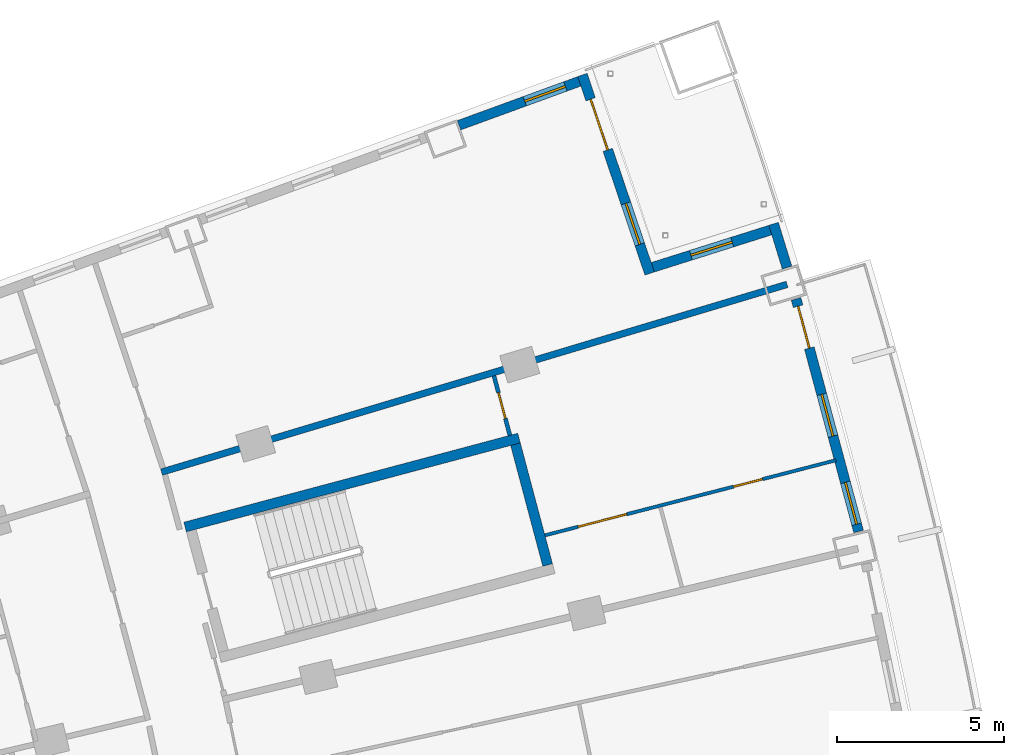
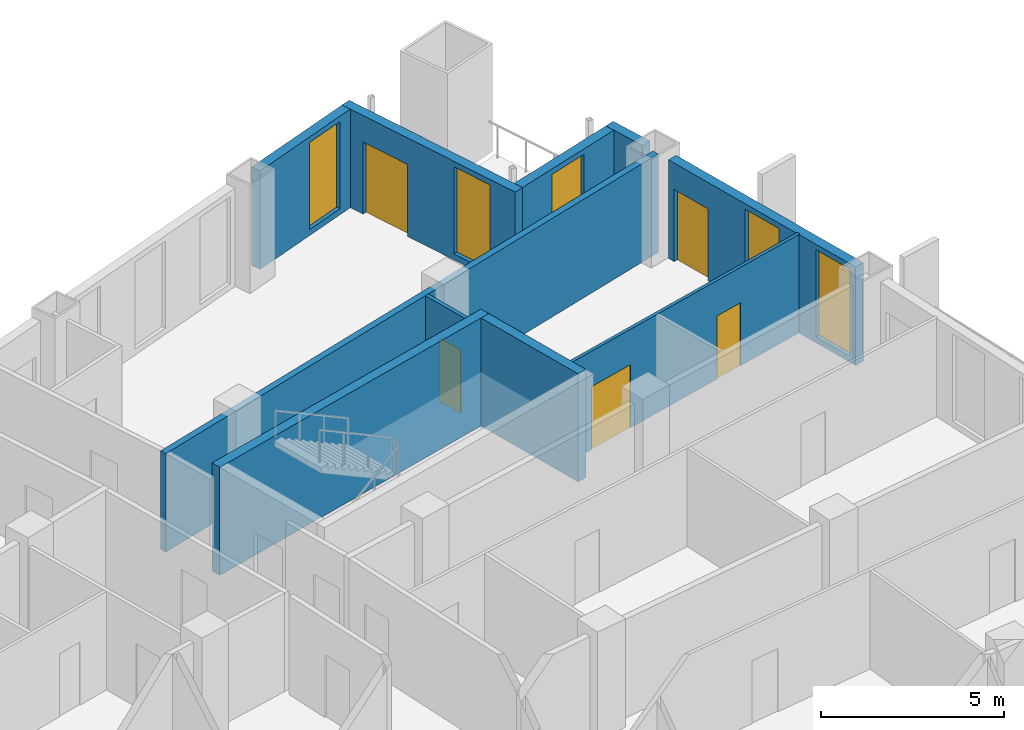
# One storey, part 21 of 25: 10 walls, 5 doors, 5 windows, 10 openings.
"""IFC4 building model written with IfcOpenShell, lengths in metres."""

from ifc_helpers import new_model, si_unit, direction, frame, frame_2d, origin, place, context, subcontext, project, spatial, rectangle, extrude, material, layer, layer_set, type_object, element, fill, save


model = new_model("IFC4")

# Units and contexts
model_context = context("Model", 3, precision=1e-05, world=origin(), true_north=direction((0.0, 1.0)))
body_context = subcontext(model_context, "Body", "Model", "MODEL_VIEW")
ifc_project = project(units=[si_unit("LENGTHUNIT", "METRE"), si_unit("AREAUNIT", "SQUARE_METRE"), si_unit("VOLUMEUNIT", "CUBIC_METRE"), si_unit("PLANEANGLEUNIT", "RADIAN"), si_unit("MASSUNIT", "GRAM", prefix="KILO")], contexts=[model_context])

# Site, building, storey
site_placement = place(None, origin())
site = spatial("IfcSite", under=ifc_project, at=site_placement, CompositionType="ELEMENT")
building_placement = place(site_placement, origin())
building = spatial("IfcBuilding", under=site, at=building_placement, Name="Alderwake Tower", CompositionType="ELEMENT")
storey_placement = place(building_placement, frame((0.0, 0.0, 118.39990234375)))
storey = spatial("IfcBuildingStorey", under=building, at=storey_placement, Name="L29", CompositionType="ELEMENT", Elevation=118.39990234375)

# Walls
ifc_material_1 = material(Name="Concrete C70/85", Category="concrete")
ifc_layer_1 = layer(ifc_material_1, 0.300048828125)
ifc_layer_set_1 = layer_set([ifc_layer_1], Name="Core wall stair enclosure 300 C70-85")
wall_type_1 = type_object("IfcWallType", Name="Core wall stair enclosure 300 C70-85", PredefinedType="SHEAR", material=ifc_layer_set_1)
wall_1_placement = place(storey_placement, frame((36.71142578125, 94.182373046875, 0.0), z_axis=(0.0, 0.0, 1.0), x_axis=(0.966309214305, 0.257383958996, 0.0)))
element("IfcWall", 1, at=wall_1_placement, inside=storey, type_object=wall_type_1, Name="Core wall CW.082", PredefinedType="SHEAR", context=body_context, shape_type="SweptSolid", body=[
    extrude(rectangle(XDim=10.360107421875, YDim=0.300048828125, at=frame_2d((5.18017578125, 0.0))), origin(), (0.0, 0.0, 1.0), 3.60009765625),
])
wall_2_placement = place(storey_placement, frame((47.581298828125, 93.041748046875, 0.0), z_axis=(0.0, 0.0, 1.0), x_axis=(-0.257366821694, 0.966313778796, 0.0)))
element("IfcWall", 2, at=wall_2_placement, inside=storey, type_object=wall_type_1, Name="Core wall CW.081", PredefinedType="SHEAR", context=body_context, shape_type="SweptSolid", body=[
    extrude(rectangle(XDim=3.749755859375, YDim=0.300048828125, at=frame_2d((1.875, 0.0))), origin(), (0.0, 0.0, 1.0), 3.60009765625),
])

# Wall, openings, door, windows
ifc_material_2 = material(Name="Precast concrete C50/60 spandrel panel", Category="concrete")
ifc_layer_2 = layer(ifc_material_2, 0.300048828125)
ifc_layer_set_2 = layer_set([ifc_layer_2], Name="External wall EW1 Precast concrete C50/60 spandrel")
wall_type_2 = type_object("IfcWallType", Name="External wall EW1 Precast concrete C50/60 spandrel", PredefinedType="SOLIDWALL", material=ifc_layer_set_2)
wall_3_placement = place(storey_placement, frame((56.90380859375, 94.04931640625, 0.0), z_axis=(0.0, 0.0, 1.0), x_axis=(-0.259514900315, 0.965739103751, 0.0)))
wall_3 = element("IfcWall", 3, at=wall_3_placement, inside=storey, type_object=wall_type_2, Name="External wall 21", PredefinedType="SOLIDWALL", context=body_context, shape_type="SweptSolid", body=[
    extrude(rectangle(XDim=7.217529296875, YDim=0.300048828125, at=frame_2d((3.60888671875, 0.0))), origin(), (0.0, 0.0, 1.0), 3.280029296875),
])
opening_1_placement = place(wall_3_placement, frame((0.22509765625, 0.0, 0.199951171875)))
opening_1 = element("IfcOpeningElement", 4, at=opening_1_placement, cuts=wall_3, Name="Opening W1", PredefinedType="OPENING", context=body_context, shape_type="SweptSolid", body=[
    extrude(rectangle(XDim=1.300048828125, YDim=2.89990234375, at=frame_2d((0.64990234375, 1.449951171875))), frame((0.0, 0.159912109375, 0.0), z_axis=(0.0, -1.0, 0.0), x_axis=(1.0, 0.0, 0.0)), (0.0, 0.0, 1.0), 0.320068359375),
])
opening_2_placement = place(wall_3_placement, frame((2.958740234375, 0.0, 0.199951171875)))
opening_2 = element("IfcOpeningElement", 5, at=opening_2_placement, cuts=wall_3, Name="Opening W1", PredefinedType="OPENING", context=body_context, shape_type="SweptSolid", body=[
    extrude(rectangle(XDim=1.300048828125, YDim=2.89990234375, at=frame_2d((0.64990234375, 1.449951171875))), frame((0.0, 0.159912109375, 0.0), z_axis=(0.0, -1.0, 0.0), x_axis=(1.0, 0.0, 0.0)), (0.0, 0.0, 1.0), 0.320068359375),
])
opening_3_placement = place(wall_3_placement, frame((5.692138671875, 0.0, 0.0)))
opening_3 = element("IfcOpeningElement", 6, at=opening_3_placement, cuts=wall_3, Name="Opening D12", PredefinedType="OPENING", context=body_context, shape_type="SweptSolid", body=[
    extrude(rectangle(XDim=1.300048828125, YDim=2.39990234375, at=frame_2d((0.64990234375, 1.199951171875))), frame((0.0, 0.159912109375, 0.0), z_axis=(0.0, -1.0, 0.0), x_axis=(1.0, 0.0, 0.0)), (0.0, 0.0, 1.0), 0.320068359375),
])
ifc_material_3 = material(Name="Bronze tinted glass in aluminium frame", Category="aluminium")
door_type_1 = type_object("IfcDoorType", Name="Balcony door BD sliding", OperationType="SLIDING_TO_LEFT", PredefinedType="DOOR", material=ifc_material_3)
door_1_placement = place(opening_3_placement, origin())
door_1 = element("IfcDoor", 7, at=door_1_placement, inside=storey, type_object=door_type_1, Name="Door D12", OperationType="SLIDING_TO_LEFT", OverallHeight=2.39990234375, OverallWidth=1.300048828125, PredefinedType="DOOR", context=body_context, shape_type="SweptSolid", body=[
    extrude(rectangle(XDim=1.300048828125, YDim=2.39990234375, at=frame_2d((0.64990234375, 1.199951171875))), frame((0.0, 0.02490234375, 0.0), z_axis=(0.0, -1.0, 0.0), x_axis=(1.0, 0.0, 0.0)), (0.0, 0.0, 1.0), 0.050048828125),
])
fill(opening_3, door_1)
ifc_material_4 = material(Name="Bronze tinted glass in aluminium frame", Category="aluminium")
window_type = type_object("IfcWindowType", Name="Window W1 tall fixed and vent", PartitioningType="DOUBLE_PANEL_VERTICAL", PredefinedType="WINDOW", material=ifc_material_4)
window_1_placement = place(opening_1_placement, origin())
window_1 = element("IfcWindow", 8, at=window_1_placement, inside=storey, type_object=window_type, Name="Window W1 tall fixed and vent", OverallHeight=2.89990234375, OverallWidth=1.300048828125, PartitioningType="DOUBLE_PANEL_VERTICAL", PredefinedType="WINDOW", context=body_context, shape_type="SweptSolid", body=[
    extrude(rectangle(XDim=1.300048828125, YDim=2.89990234375, at=frame_2d((0.64990234375, 1.449951171875))), frame((0.0, 0.030029296875, 0.0), z_axis=(0.0, -1.0, 0.0), x_axis=(1.0, 0.0, 0.0)), (0.0, 0.0, 1.0), 0.06005859375),
])
fill(opening_1, window_1)
window_2_placement = place(opening_2_placement, origin())
window_2 = element("IfcWindow", 9, at=window_2_placement, inside=storey, type_object=window_type, Name="Window W1 tall fixed and vent", OverallHeight=2.89990234375, OverallWidth=1.300048828125, PartitioningType="DOUBLE_PANEL_VERTICAL", PredefinedType="WINDOW", context=body_context, shape_type="SweptSolid", body=[
    extrude(rectangle(XDim=1.300048828125, YDim=2.89990234375, at=frame_2d((0.64990234375, 1.449951171875))), frame((0.0, 0.030029296875, 0.0), z_axis=(0.0, -1.0, 0.0), x_axis=(1.0, 0.0, 0.0)), (0.0, 0.0, 1.0), 0.06005859375),
])
fill(opening_2, window_2)

# Wall
wall_4_placement = place(storey_placement, frame((54.759521484375, 101.9609375, 0.0), z_axis=(0.0, 0.0, 1.0), x_axis=(-0.294435661299, 0.955671304035, 0.0)))
element("IfcWall", 10, at=wall_4_placement, inside=storey, type_object=wall_type_2, Name="External wall 22", PredefinedType="SOLIDWALL", context=body_context, shape_type="SweptSolid", body=[
    extrude(rectangle(XDim=1.373046875, YDim=0.300048828125, at=frame_2d((0.6865234375, 0.0))), origin(), (0.0, 0.0, 1.0), 3.280029296875),
])

# Wall, opening, window
ifc_material_5 = material(Name="Bronze metal cladding on lightweight framing")
ifc_layer_3 = layer(ifc_material_5, 0.300048828125)
ifc_layer_set_3 = layer_set([ifc_layer_3], Name="External wall EW2 bronze metal cladding")
wall_type_3 = type_object("IfcWallType", Name="External wall EW2 bronze metal cladding", PredefinedType="SOLIDWALL", material=ifc_layer_set_3)
wall_5_placement = place(storey_placement, frame((54.25634765625, 103.08447265625, 0.0), z_axis=(0.0, 0.0, 1.0), x_axis=(-0.953466730622, -0.301498248083, 0.0)))
wall_5 = element("IfcWall", 11, at=wall_5_placement, inside=storey, type_object=wall_type_3, Name="External wall 23", PredefinedType="SOLIDWALL", context=body_context, shape_type="SweptSolid", body=[
    extrude(rectangle(XDim=3.694091796875, YDim=0.300048828125, at=frame_2d((1.84716796875, 0.0))), origin(), (0.0, 0.0, 1.0), 3.280029296875),
])
opening_4_placement = place(wall_5_placement, frame((1.197021484375, 0.0, 0.199951171875)))
opening_4 = element("IfcOpeningElement", 12, at=opening_4_placement, cuts=wall_5, Name="Opening W1", PredefinedType="OPENING", context=body_context, shape_type="SweptSolid", body=[
    extrude(rectangle(XDim=1.300048828125, YDim=2.89990234375, at=frame_2d((0.64990234375, 1.449951171875))), frame((0.0, 0.159912109375, 0.0), z_axis=(0.0, -1.0, 0.0), x_axis=(1.0, 0.0, 0.0)), (0.0, 0.0, 1.0), 0.320068359375),
])
window_3_placement = place(opening_4_placement, origin())
window_3 = element("IfcWindow", 13, at=window_3_placement, inside=storey, type_object=window_type, Name="Window W1 tall fixed and vent", OverallHeight=2.89990234375, OverallWidth=1.300048828125, PartitioningType="DOUBLE_PANEL_VERTICAL", PredefinedType="WINDOW", context=body_context, shape_type="SweptSolid", body=[
    extrude(rectangle(XDim=1.300048828125, YDim=2.89990234375, at=frame_2d((0.64990234375, 1.449951171875))), frame((0.0, 0.030029296875, 0.0), z_axis=(0.0, -1.0, 0.0), x_axis=(1.0, 0.0, 0.0)), (0.0, 0.0, 1.0), 0.06005859375),
])
fill(opening_4, window_3)

# Wall, openings, door, window
wall_6_placement = place(storey_placement, frame((50.63916015625, 101.783447265625, 0.0), z_axis=(0.0, 0.0, 1.0), x_axis=(-0.320895814133, 0.947114500191, 0.0)))
wall_6 = element("IfcWall", 14, at=wall_6_placement, inside=storey, type_object=wall_type_3, Name="External wall 24", PredefinedType="SOLIDWALL", context=body_context, shape_type="SweptSolid", body=[
    extrude(rectangle(XDim=6.28662109375, YDim=0.300048828125, at=frame_2d((3.143310546875, 0.0))), origin(), (0.0, 0.0, 1.0), 3.280029296875),
])
opening_5_placement = place(wall_6_placement, frame((0.921630859375, 0.0, 0.199951171875)))
opening_5 = element("IfcOpeningElement", 15, at=opening_5_placement, cuts=wall_6, Name="Opening W1", PredefinedType="OPENING", context=body_context, shape_type="SweptSolid", body=[
    extrude(rectangle(XDim=1.300048828125, YDim=2.89990234375, at=frame_2d((0.64990234375, 1.449951171875))), frame((0.0, 0.159912109375, 0.0), z_axis=(0.0, -1.0, 0.0), x_axis=(1.0, 0.0, 0.0)), (0.0, 0.0, 1.0), 0.320068359375),
])
opening_6_placement = place(wall_6_placement, frame((3.9150390625, 0.0, 0.0)))
opening_6 = element("IfcOpeningElement", 16, at=opening_6_placement, cuts=wall_6, Name="Opening D13", PredefinedType="OPENING", context=body_context, shape_type="SweptSolid", body=[
    extrude(rectangle(XDim=1.60009765625, YDim=2.39990234375, at=frame_2d((0.800048828125, 1.199951171875))), frame((0.0, 0.159912109375, 0.0), z_axis=(0.0, -1.0, 0.0), x_axis=(1.0, 0.0, 0.0)), (0.0, 0.0, 1.0), 0.320068359375),
])
ifc_material_6 = material(Name="Bronze tinted glass in aluminium frame", Category="aluminium")
door_type_2 = type_object("IfcDoorType", Name="Terrace door TD sliding", OperationType="SLIDING_TO_LEFT", PredefinedType="DOOR", material=ifc_material_6)
door_2_placement = place(opening_6_placement, origin())
door_2 = element("IfcDoor", 17, at=door_2_placement, inside=storey, type_object=door_type_2, Name="Door D13", OperationType="SLIDING_TO_LEFT", OverallHeight=2.39990234375, OverallWidth=1.60009765625, PredefinedType="DOOR", context=body_context, shape_type="SweptSolid", body=[
    extrude(rectangle(XDim=1.60009765625, YDim=2.39990234375, at=frame_2d((0.800048828125, 1.199951171875))), frame((0.0, 0.02490234375, 0.0), z_axis=(0.0, -1.0, 0.0), x_axis=(1.0, 0.0, 0.0)), (0.0, 0.0, 1.0), 0.050048828125),
])
fill(opening_6, door_2)
window_4_placement = place(opening_5_placement, origin())
window_4 = element("IfcWindow", 18, at=window_4_placement, inside=storey, type_object=window_type, Name="Window W1 tall fixed and vent", OverallHeight=2.89990234375, OverallWidth=1.300048828125, PartitioningType="DOUBLE_PANEL_VERTICAL", PredefinedType="WINDOW", context=body_context, shape_type="SweptSolid", body=[
    extrude(rectangle(XDim=1.300048828125, YDim=2.89990234375, at=frame_2d((0.64990234375, 1.449951171875))), frame((0.0, 0.030029296875, 0.0), z_axis=(0.0, -1.0, 0.0), x_axis=(1.0, 0.0, 0.0)), (0.0, 0.0, 1.0), 0.06005859375),
])
fill(opening_5, window_4)

# Wall, opening, window
wall_7_placement = place(storey_placement, frame((48.529052734375, 107.544189453125, 0.0), z_axis=(0.0, 0.0, 1.0), x_axis=(-0.939372933228, -0.342897203718, 0.0)))
wall_7 = element("IfcWall", 19, at=wall_7_placement, inside=storey, type_object=wall_type_3, Name="External wall 25", PredefinedType="SOLIDWALL", context=body_context, shape_type="SweptSolid", body=[
    extrude(rectangle(XDim=3.837646484375, YDim=0.300048828125, at=frame_2d((1.9189453125, 0.0))), origin(), (0.0, 0.0, 1.0), 3.280029296875),
])
opening_7_placement = place(wall_7_placement, frame((0.441162109375, 0.0, 0.199951171875)))
opening_7 = element("IfcOpeningElement", 20, at=opening_7_placement, cuts=wall_7, Name="Opening W1", PredefinedType="OPENING", context=body_context, shape_type="SweptSolid", body=[
    extrude(rectangle(XDim=1.300048828125, YDim=2.89990234375, at=frame_2d((0.64990234375, 1.449951171875))), frame((0.0, 0.159912109375, 0.0), z_axis=(0.0, -1.0, 0.0), x_axis=(1.0, 0.0, 0.0)), (0.0, 0.0, 1.0), 0.320068359375),
])
window_5_placement = place(opening_7_placement, origin())
window_5 = element("IfcWindow", 21, at=window_5_placement, inside=storey, type_object=window_type, Name="Window W1 tall fixed and vent", OverallHeight=2.89990234375, OverallWidth=1.300048828125, PartitioningType="DOUBLE_PANEL_VERTICAL", PredefinedType="WINDOW", context=body_context, shape_type="SweptSolid", body=[
    extrude(rectangle(XDim=1.300048828125, YDim=2.89990234375, at=frame_2d((0.64990234375, 1.449951171875))), frame((0.0, 0.030029296875, 0.0), z_axis=(0.0, -1.0, 0.0), x_axis=(1.0, 0.0, 0.0)), (0.0, 0.0, 1.0), 0.06005859375),
])
fill(opening_7, window_5)

# Wall
ifc_material_7 = material(Name="Dense block masonry wall", Category="masonry")
ifc_layer_4 = layer(ifc_material_7, 0.199951171875)
ifc_layer_set_4 = layer_set([ifc_layer_4], Name="Party wall 200")
wall_type_4 = type_object("IfcWallType", Name="Party wall 200", PredefinedType="SOLIDWALL", material=ifc_layer_set_4)
wall_8_placement = place(storey_placement, frame((54.759033203125, 101.45703125, 0.0), z_axis=(0.0, 0.0, 1.0), x_axis=(-0.957773766673, -0.287522889302, 0.0)))
element("IfcWall", 22, at=wall_8_placement, inside=storey, type_object=wall_type_4, Name="WL/L29/W09", PredefinedType="SOLIDWALL", context=body_context, shape_type="SweptSolid", body=[
    extrude(rectangle(XDim=19.58154296875, YDim=0.199951171875, at=frame_2d((9.790771484375, 0.0))), origin(), (0.0, 0.0, 1.0), 3.280029296875),
])

# Wall, openings, doors
ifc_material_8 = material(Name="Gypsum board on metal studs")
ifc_layer_5 = layer(ifc_material_8, 0.10009765625)
ifc_layer_set_5 = layer_set([ifc_layer_5], Name="Unit partition 100")
wall_type_5 = type_object("IfcWallType", Name="Unit partition 100", PredefinedType="PARTITIONING", material=ifc_layer_set_5)
wall_9_placement = place(storey_placement, frame((47.4990234375, 93.93310546875, 0.0), z_axis=(0.0, 0.0, 1.0), x_axis=(0.968256179077, 0.249959940148, 0.0)))
wall_9 = element("IfcWall", 23, at=wall_9_placement, inside=storey, type_object=wall_type_5, Name="WL/L29/W77", PredefinedType="PARTITIONING", context=body_context, shape_type="SweptSolid", body=[
    extrude(rectangle(XDim=9.01318359375, YDim=0.10009765625, at=frame_2d((4.506591796875, 0.0))), origin(), (0.0, 0.0, 1.0), 3.280029296875),
])
opening_8_placement = place(wall_9_placement, frame((1.03173828125, 0.0, 0.0)))
opening_8 = element("IfcOpeningElement", 24, at=opening_8_placement, cuts=wall_9, Name="Opening R08-U02.2", PredefinedType="OPENING", context=body_context, shape_type="SweptSolid", body=[
    extrude(rectangle(XDim=1.5, YDim=2.10009765625, at=frame_2d((0.75, 1.050048828125))), frame((0.0, 0.06005859375, 0.0), z_axis=(0.0, -1.0, 0.0), x_axis=(1.0, 0.0, 0.0)), (0.0, 0.0, 1.0), 0.1201171875),
])
opening_9_placement = place(wall_9_placement, frame((5.838134765625, 0.0, 0.0)))
opening_9 = element("IfcOpeningElement", 25, at=opening_9_placement, cuts=wall_9, Name="Opening R08-U02.3", PredefinedType="OPENING", context=body_context, shape_type="SweptSolid", body=[
    extrude(rectangle(XDim=0.89990234375, YDim=2.10009765625, at=frame_2d((0.449951171875, 1.050048828125))), frame((0.0, 0.06005859375, 0.0), z_axis=(0.0, -1.0, 0.0), x_axis=(1.0, 0.0, 0.0)), (0.0, 0.0, 1.0), 0.1201171875),
])
ifc_material_9 = material(Name="Painted timber leaves", Category="wood")
door_type_3 = type_object("IfcDoorType", Name="Double leaf door 1500", OperationType="DOUBLE_DOOR_SINGLE_SWING", PredefinedType="DOOR", material=ifc_material_9)
door_3_placement = place(opening_8_placement, origin())
door_3 = element("IfcDoor", 26, at=door_3_placement, inside=storey, type_object=door_type_3, Name="DR/L29/U02.2", OperationType="DOUBLE_DOOR_SINGLE_SWING", OverallHeight=2.10009765625, OverallWidth=1.5, PredefinedType="DOOR", context=body_context, shape_type="SweptSolid", body=[
    extrude(rectangle(XDim=1.5, YDim=2.10009765625, at=frame_2d((0.75, 1.050048828125))), frame((0.0, 0.02490234375, 0.0), z_axis=(0.0, -1.0, 0.0), x_axis=(1.0, 0.0, 0.0)), (0.0, 0.0, 1.0), 0.050048828125),
])
fill(opening_8, door_3)
ifc_material_10 = material(Name="Painted timber leaf", Category="wood")
door_type_4 = type_object("IfcDoorType", Name="Room door 900", OperationType="SINGLE_SWING_LEFT", PredefinedType="DOOR", material=ifc_material_10)
door_4_placement = place(opening_9_placement, origin())
door_4 = element("IfcDoor", 27, at=door_4_placement, inside=storey, type_object=door_type_4, Name="DR/L29/U02.3", OperationType="SINGLE_SWING_LEFT", OverallHeight=2.10009765625, OverallWidth=0.89990234375, PredefinedType="DOOR", context=body_context, shape_type="SweptSolid", body=[
    extrude(rectangle(XDim=0.89990234375, YDim=2.10009765625, at=frame_2d((0.449951171875, 1.050048828125))), frame((0.0, 0.02490234375, 0.0), z_axis=(0.0, -1.0, 0.0), x_axis=(1.0, 0.0, 0.0)), (0.0, 0.0, 1.0), 0.050048828125),
])
fill(opening_9, door_4)

# Wall, opening, door
ifc_material_11 = material(Name="Moisture resistant gypsum board on metal studs")
ifc_layer_6 = layer(ifc_material_11, 0.1201171875)
ifc_layer_set_6 = layer_set([ifc_layer_6], Name="Wet room partition 120")
wall_type_6 = type_object("IfcWallType", Name="Wet room partition 120", PredefinedType="PARTITIONING", material=ifc_layer_set_6)
wall_10_placement = place(storey_placement, frame((46.448974609375, 96.929931640625, 0.0), z_axis=(0.0, 0.0, 1.0), x_axis=(-0.258764710752, 0.965940383497, 0.0)))
wall_10 = element("IfcWall", 28, at=wall_10_placement, inside=storey, type_object=wall_type_6, Name="WL/L29/W63", PredefinedType="PARTITIONING", context=body_context, shape_type="SweptSolid", body=[
    extrude(rectangle(XDim=1.847412109375, YDim=0.1201171875, at=frame_2d((0.923828125, 0.0))), origin(), (0.0, 0.0, 1.0), 3.280029296875),
])
opening_10_placement = place(wall_10_placement, frame((0.524169921875, 0.0, 0.0)))
opening_10 = element("IfcOpeningElement", 29, at=opening_10_placement, cuts=wall_10, Name="Opening R08-U02.4", PredefinedType="OPENING", context=body_context, shape_type="SweptSolid", body=[
    extrude(rectangle(XDim=0.800048828125, YDim=2.10009765625, at=frame_2d((0.39990234375, 1.050048828125))), frame((0.0, 0.070068359375, 0.0), z_axis=(0.0, -1.0, 0.0), x_axis=(1.0, 0.0, 0.0)), (0.0, 0.0, 1.0), 0.14013671875),
])
ifc_material_12 = material(Name="Painted timber leaf", Category="wood")
door_type_5 = type_object("IfcDoorType", Name="Bathroom door 800", OperationType="SINGLE_SWING_LEFT", PredefinedType="DOOR", material=ifc_material_12)
door_5_placement = place(opening_10_placement, origin())
door_5 = element("IfcDoor", 30, at=door_5_placement, inside=storey, type_object=door_type_5, Name="DR/L29/U02.4", OperationType="SINGLE_SWING_LEFT", OverallHeight=2.10009765625, OverallWidth=0.800048828125, PredefinedType="DOOR", context=body_context, shape_type="SweptSolid", body=[
    extrude(rectangle(XDim=0.800048828125, YDim=2.10009765625, at=frame_2d((0.39990234375, 1.050048828125))), frame((0.0, 0.02490234375, 0.0), z_axis=(0.0, -1.0, 0.0), x_axis=(1.0, 0.0, 0.0)), (0.0, 0.0, 1.0), 0.050048828125),
])
fill(opening_10, door_5)

save(model, "model.ifc")
